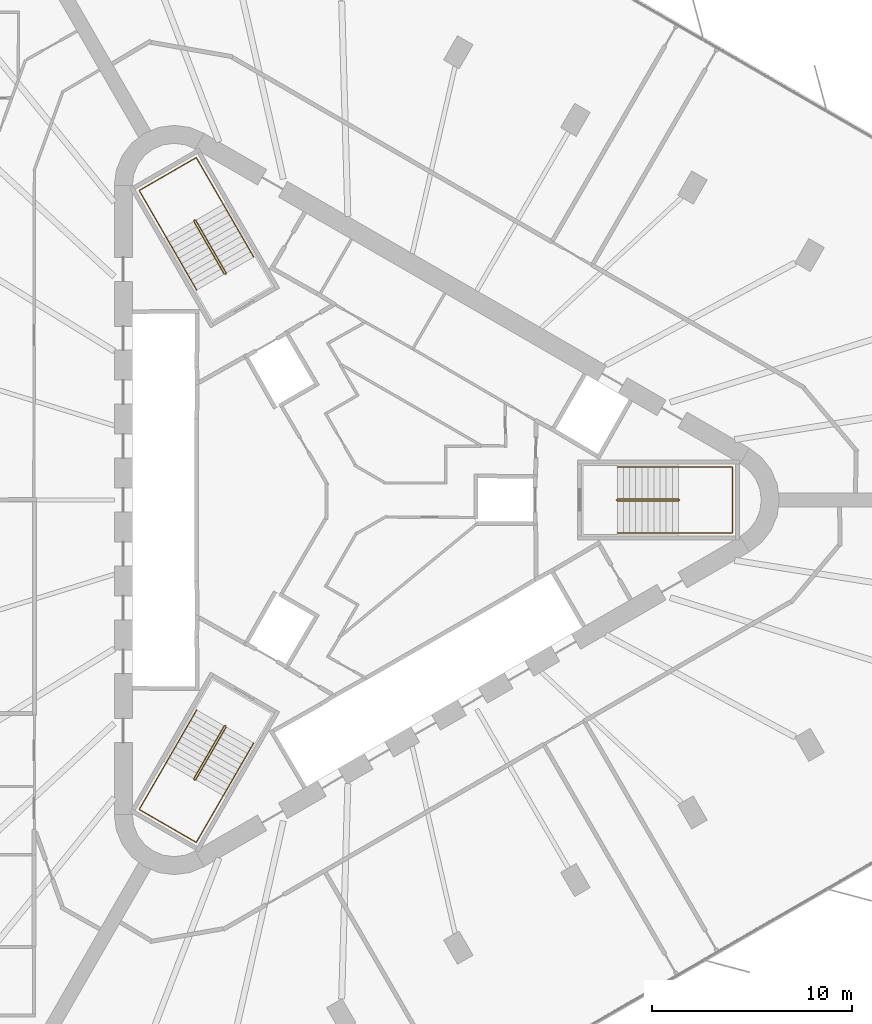
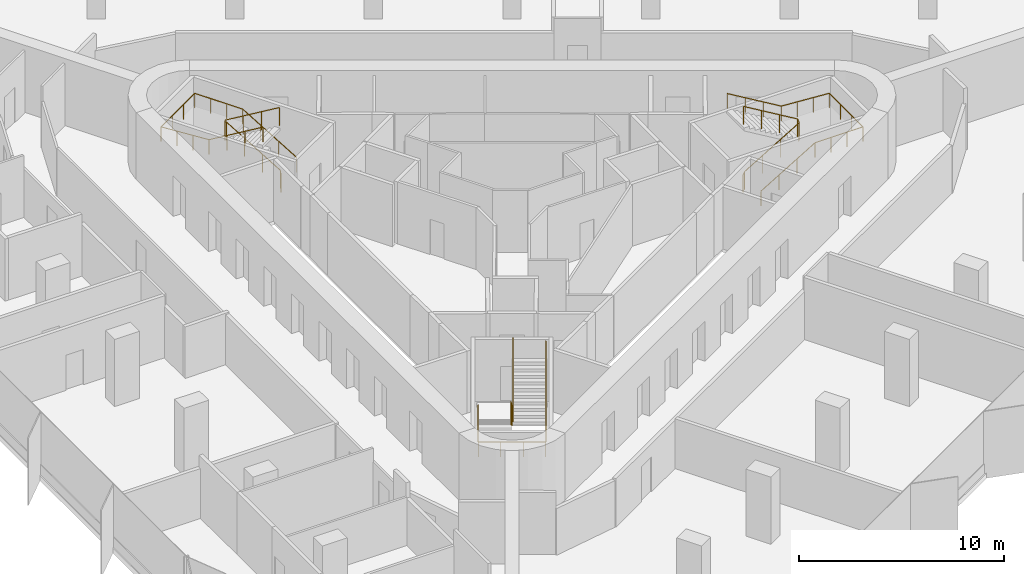
# One storey, part 14 of 14: 6 railings.
"""IFC4 building model written with IfcOpenShell, lengths in metres."""

from ifc_helpers import new_model, si_unit, direction, frame, origin, origin_2d, place, context, subcontext, project, spatial, circle, extrude, material, type_object, element, save


model = new_model("IFC4")

# Units and contexts
model_context = context("Model", 3, precision=1e-05, world=origin(), true_north=direction((0.0, 1.0)))
body_context = subcontext(model_context, "Body", "Model", "MODEL_VIEW")
ifc_project = project(units=[si_unit("LENGTHUNIT", "METRE"), si_unit("AREAUNIT", "SQUARE_METRE"), si_unit("VOLUMEUNIT", "CUBIC_METRE"), si_unit("PLANEANGLEUNIT", "RADIAN"), si_unit("MASSUNIT", "GRAM", prefix="KILO")], contexts=[model_context])

# Site, building, storey
site_placement = place(None, origin())
site = spatial("IfcSite", under=ifc_project, at=site_placement, CompositionType="ELEMENT")
building_placement = place(site_placement, origin())
building = spatial("IfcBuilding", under=site, at=building_placement, Name="Tanit Gate Tower", CompositionType="ELEMENT")
storey_placement = place(building_placement, frame((0.0, 0.0, 233.199951171875)))
storey = spatial("IfcBuildingStorey", under=building, at=storey_placement, Name="L52", CompositionType="ELEMENT", Elevation=233.199951171875)

# Railings
ifc_material_1 = material(Name="Stainless steel balustrade", Category="steel")
railing_type_1 = type_object("IfcRailingType", Name="INT-STAIR-GUARD", PredefinedType="GUARDRAIL", material=ifc_material_1)
railing_1_placement = place(storey_placement, frame((13.044921875, 0.0048828125, 0.0)))
element("IfcRailing", 1, at=railing_1_placement, inside=storey, type_object=railing_type_1, Name="L52 S1 stair guard 1", PredefinedType="GUARDRAIL", context=body_context, shape_type="SweptSolid", body=[
    extrude(circle(Radius=0.02392578125, at=origin_2d()), frame((0.0, 0.0, 1.076171875), z_axis=(0.0, -1.0, 0.0), x_axis=(1.0, 0.0, 0.0)), (0.0, 0.0, 1.0), 0.009765625),
    extrude(circle(Radius=0.02392578125, at=origin_2d()), frame((0.0, -0.009765625, 1.076171875), z_axis=(0.256435381639, -0.256435381639, 0.931923704005), x_axis=(0.707106781187, 0.707106781187, 0.0)), (0.0, 0.0, 1.0), 0.195068359375),
    extrude(circle(Radius=0.02392578125, at=origin_2d()), frame((0.050048828125, -0.059814453125, 1.2578125), z_axis=(0.859041732319, 0.0, 0.511905559781), x_axis=(0.0, 1.0, 0.0)), (0.0, 0.0, 1.0), 3.5517578125),
    extrude(circle(Radius=0.02392578125, at=origin_2d()), frame((3.10107421875, -0.059814453125, 3.076171875), z_axis=(0.707106781187, 0.707106781187, 0.0), x_axis=(-0.707106781187, 0.707106781187, 0.0)), (0.0, 0.0, 1.0), 0.07080078125),
    extrude(circle(Radius=0.02392578125, at=origin_2d()), frame((3.151123046875, -0.009765625, 3.076171875), z_axis=(0.0, 1.0, 0.0), x_axis=(-1.0, 0.0, 0.0)), (0.0, 0.0, 1.0), 0.009765625),
    extrude(circle(Radius=0.02392578125, at=origin_2d()), frame((3.151123046875, 0.0, 3.076171875), z_axis=(-0.256435381639, 0.256435381639, 0.931923704005), x_axis=(-0.707106781187, -0.707106781187, 0.0)), (0.0, 0.0, 1.0), 0.195068359375),
    extrude(circle(Radius=0.02392578125, at=origin_2d()), frame((3.10107421875, 0.050048828125, 3.2578125), z_axis=(-0.859041732319, 0.0, 0.511905559781), x_axis=(0.0, -1.0, 0.0)), (0.0, 0.0, 1.0), 3.5517578125),
    extrude(circle(Radius=0.02099609375, at=origin_2d()), origin(), (0.0, 0.0, 1.0), 1.052001953125),
    extrude(circle(Radius=0.02099609375, at=origin_2d()), frame((0.0, -0.009765625, 0.0)), (0.0, 0.0, 1.0), 1.052001953125),
    extrude(circle(Radius=0.02099609375, at=origin_2d()), frame((0.050048828125, -0.059814453125, 0.181884765625)), (0.0, 0.0, 1.0), 1.052001953125),
    extrude(circle(Radius=0.02099609375, at=origin_2d()), frame((1.067138671875, -0.059814453125, 0.787841796875)), (0.0, 0.0, 1.0), 1.052001953125),
    extrude(circle(Radius=0.02099609375, at=origin_2d()), frame((2.083984375, -0.059814453125, 1.39404296875)), (0.0, 0.0, 1.0), 1.052001953125),
    extrude(circle(Radius=0.02099609375, at=origin_2d()), frame((3.10107421875, -0.059814453125, 2.0)), (0.0, 0.0, 1.0), 1.052001953125),
    extrude(circle(Radius=0.02099609375, at=origin_2d()), frame((3.151123046875, -0.009765625, 2.0)), (0.0, 0.0, 1.0), 1.052001953125),
    extrude(circle(Radius=0.02099609375, at=origin_2d()), frame((3.151123046875, 0.0, 2.0)), (0.0, 0.0, 1.0), 1.052001953125),
    extrude(circle(Radius=0.02099609375, at=origin_2d()), frame((3.10107421875, 0.050048828125, 2.181884765625)), (0.0, 0.0, 1.0), 1.052001953125),
    extrude(circle(Radius=0.02099609375, at=origin_2d()), frame((2.083984375, 0.050048828125, 2.787841796875)), (0.0, 0.0, 1.0), 1.052001953125),
    extrude(circle(Radius=0.02099609375, at=origin_2d()), frame((1.067138671875, 0.050048828125, 3.39404296875)), (0.0, 0.0, 1.0), 1.052001953125),
    extrude(circle(Radius=0.02099609375, at=origin_2d()), frame((0.050048828125, 0.050048828125, 4.0)), (0.0, 0.0, 1.0), 1.052001953125),
])
railing_2_placement = place(storey_placement, frame((-6.527099609375, 11.29345703125, 0.0)))
element("IfcRailing", 2, at=railing_2_placement, inside=storey, type_object=railing_type_1, Name="L52 S2 stair guard 1", PredefinedType="GUARDRAIL", context=body_context, shape_type="SweptSolid", body=[
    extrude(circle(Radius=0.02392578125, at=origin_2d()), frame((0.0, 0.0, 1.076171875), z_axis=(0.868243142124, 0.496138938357, 0.0), x_axis=(-0.496138938357, 0.868243142124, 0.0)), (0.0, 0.0, 1.0), 0.01171875),
    extrude(circle(Radius=0.02392578125, at=origin_2d()), frame((0.01025390625, 0.005859375, 1.076171875), z_axis=(0.093819657636, 0.350260055175, 0.93194193252), x_axis=(-0.965948051503, 0.258736085224, 0.0)), (0.0, 0.0, 1.0), 0.195068359375),
    extrude(circle(Radius=0.02392578125, at=origin_2d()), frame((0.028564453125, 0.07421875, 1.2578125), z_axis=(-0.429472220917, 0.743822504634, 0.512134448226), x_axis=(-0.866012246495, -0.500022788402, 0.0)), (0.0, 0.0, 1.0), 3.550048828125),
    extrude(circle(Radius=0.02392578125, at=origin_2d()), frame((-1.49609375, 2.71484375, 3.076171875), z_axis=(-0.965715946433, 0.259601060869, 0.0), x_axis=(-0.259601060869, -0.965715946433, 0.0)), (0.0, 0.0, 1.0), 0.070556640625),
    extrude(circle(Radius=0.02392578125, at=origin_2d()), frame((-1.564208984375, 2.733154296875, 3.076171875), z_axis=(-0.873197702015, -0.487366159264, 0.0), x_axis=(0.487366159264, -0.873197702015, 0.0)), (0.0, 0.0, 1.0), 0.011962890625),
    extrude(circle(Radius=0.02392578125, at=origin_2d()), frame((-1.57470703125, 2.727294921875, 3.076171875), z_axis=(-0.093819657636, -0.350260055175, 0.93194193252), x_axis=(0.965948051503, -0.258736085224, 0.0)), (0.0, 0.0, 1.0), 0.195068359375),
    extrude(circle(Radius=0.02392578125, at=origin_2d()), frame((-1.593017578125, 2.658935546875, 3.2578125), z_axis=(0.429472220917, -0.743822504634, 0.512134448226), x_axis=(0.866012246495, 0.500022788402, 0.0)), (0.0, 0.0, 1.0), 3.550048828125),
    extrude(circle(Radius=0.02099609375, at=origin_2d()), origin(), (0.0, 0.0, 1.0), 1.052001953125),
    extrude(circle(Radius=0.02099609375, at=origin_2d()), frame((0.01025390625, 0.005859375, 0.0)), (0.0, 0.0, 1.0), 1.052001953125),
    extrude(circle(Radius=0.02099609375, at=origin_2d()), frame((0.028564453125, 0.07421875, 0.181884765625)), (0.0, 0.0, 1.0), 1.052001953125),
    extrude(circle(Radius=0.02099609375, at=origin_2d()), frame((-0.479736328125, 0.954345703125, 0.787841796875)), (0.0, 0.0, 1.0), 1.052001953125),
    extrude(circle(Radius=0.02099609375, at=origin_2d()), frame((-0.98779296875, 1.834716796875, 1.39404296875)), (0.0, 0.0, 1.0), 1.052001953125),
    extrude(circle(Radius=0.02099609375, at=origin_2d()), frame((-1.49609375, 2.71484375, 2.0)), (0.0, 0.0, 1.0), 1.052001953125),
    extrude(circle(Radius=0.02099609375, at=origin_2d()), frame((-1.564208984375, 2.733154296875, 2.0)), (0.0, 0.0, 1.0), 1.052001953125),
    extrude(circle(Radius=0.02099609375, at=origin_2d()), frame((-1.57470703125, 2.727294921875, 2.0)), (0.0, 0.0, 1.0), 1.052001953125),
    extrude(circle(Radius=0.02099609375, at=origin_2d()), frame((-1.593017578125, 2.658935546875, 2.181884765625)), (0.0, 0.0, 1.0), 1.052001953125),
    extrude(circle(Radius=0.02099609375, at=origin_2d()), frame((-1.084716796875, 1.77880859375, 2.787841796875)), (0.0, 0.0, 1.0), 1.052001953125),
    extrude(circle(Radius=0.02099609375, at=origin_2d()), frame((-0.57666015625, 0.8984375, 3.39404296875)), (0.0, 0.0, 1.0), 1.052001953125),
    extrude(circle(Radius=0.02099609375, at=origin_2d()), frame((-0.068359375, 0.018310546875, 4.0)), (0.0, 0.0, 1.0), 1.052001953125),
])
railing_3_placement = place(storey_placement, frame((-6.51806640625, -11.2998046875, 0.0)))
element("IfcRailing", 3, at=railing_3_placement, inside=storey, type_object=railing_type_1, Name="L52 S3 stair guard 1", PredefinedType="GUARDRAIL", context=body_context, shape_type="SweptSolid", body=[
    extrude(circle(Radius=0.02392578125, at=origin_2d()), frame((0.0, 0.0, 1.076171875), z_axis=(-0.874157276122, 0.485642931179, 0.0), x_axis=(-0.485642931179, -0.874157276122, 0.0)), (0.0, 0.0, 1.0), 0.010009765625),
    extrude(circle(Radius=0.02392578125, at=origin_2d()), frame((-0.0087890625, 0.0048828125, 1.076171875), z_axis=(-0.350300895388, -0.092579522353, 0.932050596658), x_axis=(0.255512919477, -0.966805641264, 0.0)), (0.0, 0.0, 1.0), 0.195068359375),
    extrude(circle(Radius=0.02392578125, at=origin_2d()), frame((-0.0771484375, -0.01318359375, 1.2578125), z_axis=(-0.429486674828, -0.743971555965, 0.511905772639), x_axis=(0.866048339477, -0.499960272111, 0.0)), (0.0, 0.0, 1.0), 3.5517578125),
    extrude(circle(Radius=0.02392578125, at=origin_2d()), frame((-1.6025390625, -2.655517578125, 3.076171875), z_axis=(0.258736085224, -0.965948051503, 0.0), x_axis=(0.965948051503, 0.258736085224, 0.0)), (0.0, 0.0, 1.0), 0.07080078125),
    extrude(circle(Radius=0.02392578125, at=origin_2d()), frame((-1.584228515625, -2.723876953125, 3.076171875), z_axis=(0.868243142124, -0.496138938357, 0.0), x_axis=(0.496138938357, 0.868243142124, 0.0)), (0.0, 0.0, 1.0), 0.009765625),
    extrude(circle(Radius=0.02392578125, at=origin_2d()), frame((-1.57568359375, -2.728759765625, 3.076171875), z_axis=(0.350260055175, 0.093819657636, 0.93194193252), x_axis=(-0.258736085224, 0.965948051503, 0.0)), (0.0, 0.0, 1.0), 0.195068359375),
    extrude(circle(Radius=0.02392578125, at=origin_2d()), frame((-1.50732421875, -2.71044921875, 3.2578125), z_axis=(0.429564698942, 0.743918894535, 0.511916836777), x_axis=(-0.865993683553, 0.500054937028, 0.0)), (0.0, 0.0, 1.0), 3.551513671875),
    extrude(circle(Radius=0.02099609375, at=origin_2d()), origin(), (0.0, 0.0, 1.0), 1.052001953125),
    extrude(circle(Radius=0.02099609375, at=origin_2d()), frame((-0.0087890625, 0.0048828125, 0.0)), (0.0, 0.0, 1.0), 1.052001953125),
    extrude(circle(Radius=0.02099609375, at=origin_2d()), frame((-0.0771484375, -0.01318359375, 0.181884765625)), (0.0, 0.0, 1.0), 1.052001953125),
    extrude(circle(Radius=0.02099609375, at=origin_2d()), frame((-0.585693359375, -0.89404296875, 0.787841796875)), (0.0, 0.0, 1.0), 1.052001953125),
    extrude(circle(Radius=0.02099609375, at=origin_2d()), frame((-1.093994140625, -1.774658203125, 1.39404296875)), (0.0, 0.0, 1.0), 1.052001953125),
    extrude(circle(Radius=0.02099609375, at=origin_2d()), frame((-1.6025390625, -2.655517578125, 2.0)), (0.0, 0.0, 1.0), 1.052001953125),
    extrude(circle(Radius=0.02099609375, at=origin_2d()), frame((-1.584228515625, -2.723876953125, 2.0)), (0.0, 0.0, 1.0), 1.052001953125),
    extrude(circle(Radius=0.02099609375, at=origin_2d()), frame((-1.57568359375, -2.728759765625, 2.0)), (0.0, 0.0, 1.0), 1.052001953125),
    extrude(circle(Radius=0.02099609375, at=origin_2d()), frame((-1.50732421875, -2.71044921875, 2.181884765625)), (0.0, 0.0, 1.0), 1.052001953125),
    extrude(circle(Radius=0.02099609375, at=origin_2d()), frame((-0.998779296875, -1.829833984375, 2.787841796875)), (0.0, 0.0, 1.0), 1.052001953125),
    extrude(circle(Radius=0.02099609375, at=origin_2d()), frame((-0.490234375, -0.948974609375, 3.39404296875)), (0.0, 0.0, 1.0), 1.052001953125),
    extrude(circle(Radius=0.02099609375, at=origin_2d()), frame((0.018310546875, -0.068359375, 4.0)), (0.0, 0.0, 1.0), 1.052001953125),
])
ifc_material_2 = material(Name="Stainless steel handrail", Category="steel")
railing_type_2 = type_object("IfcRailingType", Name="INT-STAIR-HANDRAIL", PredefinedType="HANDRAIL", material=ifc_material_2)
railing_4_placement = place(storey_placement, frame((13.094970703125, -1.64990234375, 0.181884765625)))
element("IfcRailing", 4, at=railing_4_placement, inside=storey, type_object=railing_type_2, Name="L52 S1 stair handrail 1", PredefinedType="HANDRAIL", context=body_context, shape_type="SweptSolid", body=[
    extrude(circle(Radius=0.02392578125, at=origin_2d()), frame((0.0, 0.0, 0.8759765625), z_axis=(0.859041732319, 0.0, 0.511905559781), x_axis=(0.0, 1.0, 0.0)), (0.0, 0.0, 1.0), 3.5517578125),
    extrude(circle(Radius=0.02392578125, at=origin_2d()), frame((3.051025390625, 0.0, 2.69384765625), z_axis=(1.0, 0.0, 0.0), x_axis=(0.0, 1.0, 0.0)), (0.0, 0.0, 1.0), 2.7041015625),
    extrude(circle(Radius=0.02392578125, at=origin_2d()), frame((5.755126953125, 0.0, 2.69384765625), z_axis=(0.0, 1.0, 0.0), x_axis=(-1.0, 0.0, 0.0)), (0.0, 0.0, 1.0), 3.2998046875),
    extrude(circle(Radius=0.02392578125, at=origin_2d()), frame((5.755126953125, 3.2998046875, 2.69384765625), z_axis=(-0.997745521698, 0.0, 0.067110907698), x_axis=(0.0, -1.0, 0.0)), (0.0, 0.0, 1.0), 2.710205078125),
    extrude(circle(Radius=0.02392578125, at=origin_2d()), frame((3.051025390625, 3.2998046875, 2.8759765625), z_axis=(-0.859041732319, 0.0, 0.511905559781), x_axis=(0.0, -1.0, 0.0)), (0.0, 0.0, 1.0), 3.5517578125),
    extrude(circle(Radius=0.02099609375, at=origin_2d()), origin(), (0.0, 0.0, 1.0), 0.851806640625),
    extrude(circle(Radius=0.02099609375, at=origin_2d()), frame((1.01708984375, 0.0, 0.60595703125)), (0.0, 0.0, 1.0), 0.851806640625),
    extrude(circle(Radius=0.02099609375, at=origin_2d()), frame((2.033935546875, 0.0, 1.212158203125)), (0.0, 0.0, 1.0), 0.851806640625),
    extrude(circle(Radius=0.02099609375, at=origin_2d()), frame((3.051025390625, 0.0, 1.818115234375)), (0.0, 0.0, 1.0), 0.851806640625),
    extrude(circle(Radius=0.02099609375, at=origin_2d()), frame((3.952392578125, 0.0, 1.818115234375)), (0.0, 0.0, 1.0), 0.851806640625),
    extrude(circle(Radius=0.02099609375, at=origin_2d()), frame((4.853759765625, 0.0, 1.818115234375)), (0.0, 0.0, 1.0), 0.851806640625),
    extrude(circle(Radius=0.02099609375, at=origin_2d()), frame((5.755126953125, 0.0, 1.818115234375)), (0.0, 0.0, 1.0), 0.851806640625),
    extrude(circle(Radius=0.02099609375, at=origin_2d()), frame((5.755126953125, 1.099853515625, 1.818115234375)), (0.0, 0.0, 1.0), 0.851806640625),
    extrude(circle(Radius=0.02099609375, at=origin_2d()), frame((5.755126953125, 2.199951171875, 1.818115234375)), (0.0, 0.0, 1.0), 0.851806640625),
    extrude(circle(Radius=0.02099609375, at=origin_2d()), frame((5.755126953125, 3.2998046875, 1.818115234375)), (0.0, 0.0, 1.0), 0.851806640625),
    extrude(circle(Radius=0.02099609375, at=origin_2d()), frame((4.853759765625, 3.2998046875, 1.878662109375)), (0.0, 0.0, 1.0), 0.851806640625),
    extrude(circle(Radius=0.02099609375, at=origin_2d()), frame((3.952392578125, 3.2998046875, 1.939453125)), (0.0, 0.0, 1.0), 0.851806640625),
    extrude(circle(Radius=0.02099609375, at=origin_2d()), frame((3.051025390625, 3.2998046875, 2.0)), (0.0, 0.0, 1.0), 0.851806640625),
    extrude(circle(Radius=0.02099609375, at=origin_2d()), frame((2.033935546875, 3.2998046875, 2.60595703125)), (0.0, 0.0, 1.0), 0.851806640625),
    extrude(circle(Radius=0.02099609375, at=origin_2d()), frame((1.01708984375, 3.2998046875, 3.212158203125)), (0.0, 0.0, 1.0), 0.851806640625),
    extrude(circle(Radius=0.02099609375, at=origin_2d()), frame((0.0, 3.2998046875, 3.818115234375)), (0.0, 0.0, 1.0), 0.851806640625),
])
railing_5_placement = place(storey_placement, frame((-5.1181640625, 12.164794921875, 0.181884765625)))
element("IfcRailing", 5, at=railing_5_placement, inside=storey, type_object=railing_type_2, Name="L52 S2 stair handrail 1", PredefinedType="HANDRAIL", context=body_context, shape_type="SweptSolid", body=[
    extrude(circle(Radius=0.02392578125, at=origin_2d()), frame((0.0, 0.0, 0.8759765625), z_axis=(-0.429416132344, 0.743844472684, 0.512149573602), x_axis=(-0.866046917185, -0.499962735845, 0.0)), (0.0, 0.0, 1.0), 3.550048828125),
    extrude(circle(Radius=0.02392578125, at=origin_2d()), frame((-1.5244140625, 2.640625, 2.69384765625), z_axis=(-0.500019123664, 0.86601436245, 0.0), x_axis=(-0.86601436245, -0.500019123664, 0.0)), (0.0, 0.0, 1.0), 2.70703125),
    extrude(circle(Radius=0.02392578125, at=origin_2d()), frame((-2.8779296875, 4.98486328125, 2.69384765625), z_axis=(-0.866008176907, -0.50002983664, 0.0), x_axis=(0.50002983664, -0.866008176907, 0.0)), (0.0, 0.0, 1.0), 3.300048828125),
    extrude(circle(Radius=0.02392578125, at=origin_2d()), frame((-5.73583984375, 3.334716796875, 2.69384765625), z_axis=(0.498932980467, -0.864043208057, 0.067046369128), x_axis=(0.865991810323, 0.500058181068, 0.0)), (0.0, 0.0, 1.0), 2.712890625),
    extrude(circle(Radius=0.02392578125, at=origin_2d()), frame((-4.38232421875, 0.99072265625, 2.8759765625), z_axis=(0.429450252752, -0.743853224023, 0.512108251761), x_axis=(0.866032263162, 0.499988119021, 0.0)), (0.0, 0.0, 1.0), 3.55029296875),
    extrude(circle(Radius=0.02099609375, at=origin_2d()), origin(), (0.0, 0.0, 1.0), 0.851806640625),
    extrude(circle(Radius=0.02099609375, at=origin_2d()), frame((-0.508056640625, 0.880126953125, 0.60595703125)), (0.0, 0.0, 1.0), 0.851806640625),
    extrude(circle(Radius=0.02099609375, at=origin_2d()), frame((-1.016357421875, 1.760498046875, 1.212158203125)), (0.0, 0.0, 1.0), 0.851806640625),
    extrude(circle(Radius=0.02099609375, at=origin_2d()), frame((-1.5244140625, 2.640625, 1.818115234375)), (0.0, 0.0, 1.0), 0.851806640625),
    extrude(circle(Radius=0.02099609375, at=origin_2d()), frame((-1.9755859375, 3.422119140625, 1.818115234375)), (0.0, 0.0, 1.0), 0.851806640625),
    extrude(circle(Radius=0.02099609375, at=origin_2d()), frame((-2.4267578125, 4.203369140625, 1.818115234375)), (0.0, 0.0, 1.0), 0.851806640625),
    extrude(circle(Radius=0.02099609375, at=origin_2d()), frame((-2.8779296875, 4.98486328125, 1.818115234375)), (0.0, 0.0, 1.0), 0.851806640625),
    extrude(circle(Radius=0.02099609375, at=origin_2d()), frame((-3.83056640625, 4.434814453125, 1.818115234375)), (0.0, 0.0, 1.0), 0.851806640625),
    extrude(circle(Radius=0.02099609375, at=origin_2d()), frame((-4.783203125, 3.884765625, 1.818115234375)), (0.0, 0.0, 1.0), 0.851806640625),
    extrude(circle(Radius=0.02099609375, at=origin_2d()), frame((-5.73583984375, 3.334716796875, 1.818115234375)), (0.0, 0.0, 1.0), 0.851806640625),
    extrude(circle(Radius=0.02099609375, at=origin_2d()), frame((-5.28466796875, 2.553466796875, 1.878662109375)), (0.0, 0.0, 1.0), 0.851806640625),
    extrude(circle(Radius=0.02099609375, at=origin_2d()), frame((-4.83349609375, 1.77197265625, 1.939453125)), (0.0, 0.0, 1.0), 0.851806640625),
    extrude(circle(Radius=0.02099609375, at=origin_2d()), frame((-4.38232421875, 0.99072265625, 2.0)), (0.0, 0.0, 1.0), 0.851806640625),
    extrude(circle(Radius=0.02099609375, at=origin_2d()), frame((-3.8740234375, 0.1103515625, 2.60595703125)), (0.0, 0.0, 1.0), 0.851806640625),
    extrude(circle(Radius=0.02099609375, at=origin_2d()), frame((-3.365966796875, -0.769775390625, 3.212158203125)), (0.0, 0.0, 1.0), 0.851806640625),
    extrude(circle(Radius=0.02099609375, at=origin_2d()), frame((-2.857666015625, -1.650146484375, 3.818115234375)), (0.0, 0.0, 1.0), 0.851806640625),
])
railing_6_placement = place(storey_placement, frame((-7.9765625, -10.515625, 0.181884765625)))
element("IfcRailing", 6, at=railing_6_placement, inside=storey, type_object=railing_type_2, Name="L52 S3 stair handrail 1", PredefinedType="HANDRAIL", context=body_context, shape_type="SweptSolid", body=[
    extrude(circle(Radius=0.02392578125, at=origin_2d()), frame((0.0, 0.0, 0.8759765625), z_axis=(-0.429486674828, -0.743971555965, 0.511905772639), x_axis=(0.866048339477, -0.499960272111, 0.0)), (0.0, 0.0, 1.0), 3.5517578125),
    extrude(circle(Radius=0.02392578125, at=origin_2d()), frame((-1.525390625, -2.642333984375, 2.69384765625), z_axis=(-0.50004290449, -0.866000631449, 0.0), x_axis=(0.866000631449, -0.50004290449, 0.0)), (0.0, 0.0, 1.0), 2.703857421875),
    extrude(circle(Radius=0.02392578125, at=origin_2d()), frame((-2.87744140625, -4.98388671875, 2.69384765625), z_axis=(0.866008176907, -0.50002983664, 0.0), x_axis=(0.50002983664, 0.866008176907, 0.0)), (0.0, 0.0, 1.0), 3.300048828125),
    extrude(circle(Radius=0.02392578125, at=origin_2d()), frame((-0.01953125, -6.634033203125, 2.69384765625), z_axis=(0.498876541924, 0.864070745781, 0.067111416348), x_axis=(-0.866023205937, 0.500003806764, 0.0)), (0.0, 0.0, 1.0), 2.710205078125),
    extrude(circle(Radius=0.02392578125, at=origin_2d()), frame((1.33251953125, -4.292236328125, 2.8759765625), z_axis=(0.429486674828, 0.743971555965, 0.511905772639), x_axis=(-0.866048339477, 0.499960272111, 0.0)), (0.0, 0.0, 1.0), 3.5517578125),
    extrude(circle(Radius=0.02099609375, at=origin_2d()), origin(), (0.0, 0.0, 1.0), 0.851806640625),
    extrude(circle(Radius=0.02099609375, at=origin_2d()), frame((-0.508544921875, -0.880859375, 0.60595703125)), (0.0, 0.0, 1.0), 0.851806640625),
    extrude(circle(Radius=0.02099609375, at=origin_2d()), frame((-1.016845703125, -1.761474609375, 1.212158203125)), (0.0, 0.0, 1.0), 0.851806640625),
    extrude(circle(Radius=0.02099609375, at=origin_2d()), frame((-1.525390625, -2.642333984375, 1.818115234375)), (0.0, 0.0, 1.0), 0.851806640625),
    extrude(circle(Radius=0.02099609375, at=origin_2d()), frame((-1.97607421875, -3.4228515625, 1.818115234375)), (0.0, 0.0, 1.0), 0.851806640625),
    extrude(circle(Radius=0.02099609375, at=origin_2d()), frame((-2.4267578125, -4.203369140625, 1.818115234375)), (0.0, 0.0, 1.0), 0.851806640625),
    extrude(circle(Radius=0.02099609375, at=origin_2d()), frame((-2.87744140625, -4.98388671875, 1.818115234375)), (0.0, 0.0, 1.0), 0.851806640625),
    extrude(circle(Radius=0.02099609375, at=origin_2d()), frame((-1.9248046875, -5.533935546875, 1.818115234375)), (0.0, 0.0, 1.0), 0.851806640625),
    extrude(circle(Radius=0.02099609375, at=origin_2d()), frame((-0.97216796875, -6.083984375, 1.818115234375)), (0.0, 0.0, 1.0), 0.851806640625),
    extrude(circle(Radius=0.02099609375, at=origin_2d()), frame((-0.01953125, -6.634033203125, 1.818115234375)), (0.0, 0.0, 1.0), 0.851806640625),
    extrude(circle(Radius=0.02099609375, at=origin_2d()), frame((0.43115234375, -5.853515625, 1.878662109375)), (0.0, 0.0, 1.0), 0.851806640625),
    extrude(circle(Radius=0.02099609375, at=origin_2d()), frame((0.8818359375, -5.07275390625, 1.939453125)), (0.0, 0.0, 1.0), 0.851806640625),
    extrude(circle(Radius=0.02099609375, at=origin_2d()), frame((1.33251953125, -4.292236328125, 2.0)), (0.0, 0.0, 1.0), 0.851806640625),
    extrude(circle(Radius=0.02099609375, at=origin_2d()), frame((1.841064453125, -3.411376953125, 2.60595703125)), (0.0, 0.0, 1.0), 0.851806640625),
    extrude(circle(Radius=0.02099609375, at=origin_2d()), frame((2.349365234375, -2.53076171875, 3.212158203125)), (0.0, 0.0, 1.0), 0.851806640625),
    extrude(circle(Radius=0.02099609375, at=origin_2d()), frame((2.85791015625, -1.64990234375, 3.818115234375)), (0.0, 0.0, 1.0), 0.851806640625),
])

save(model, "model.ifc")
